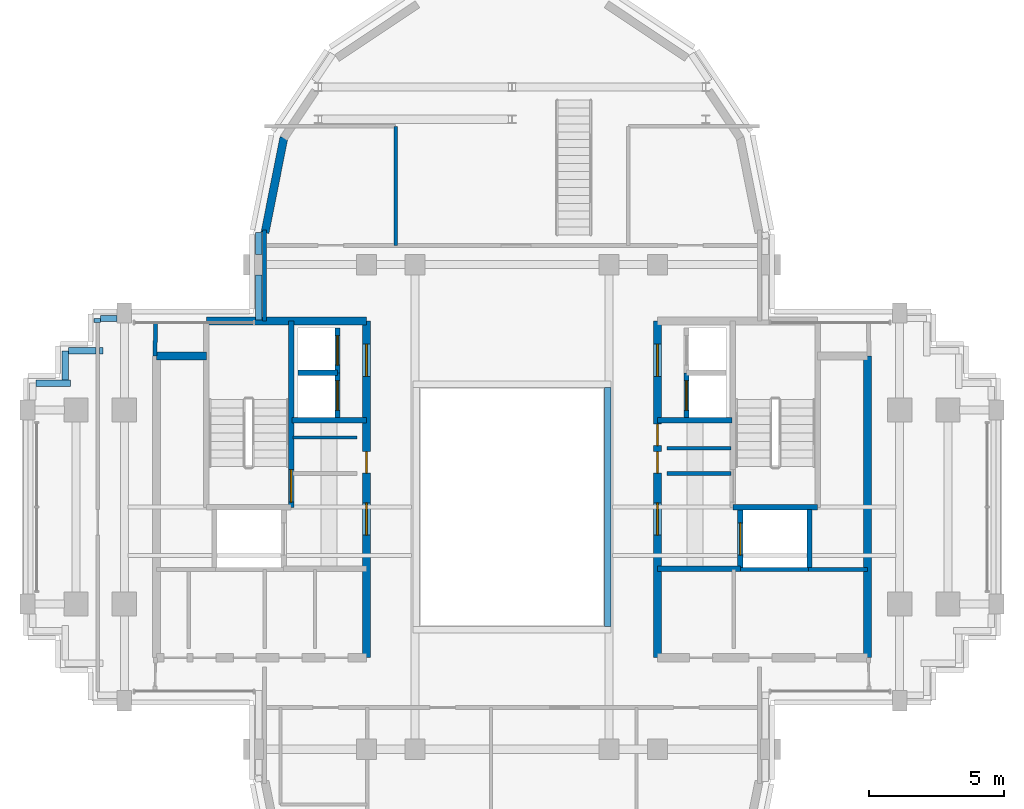
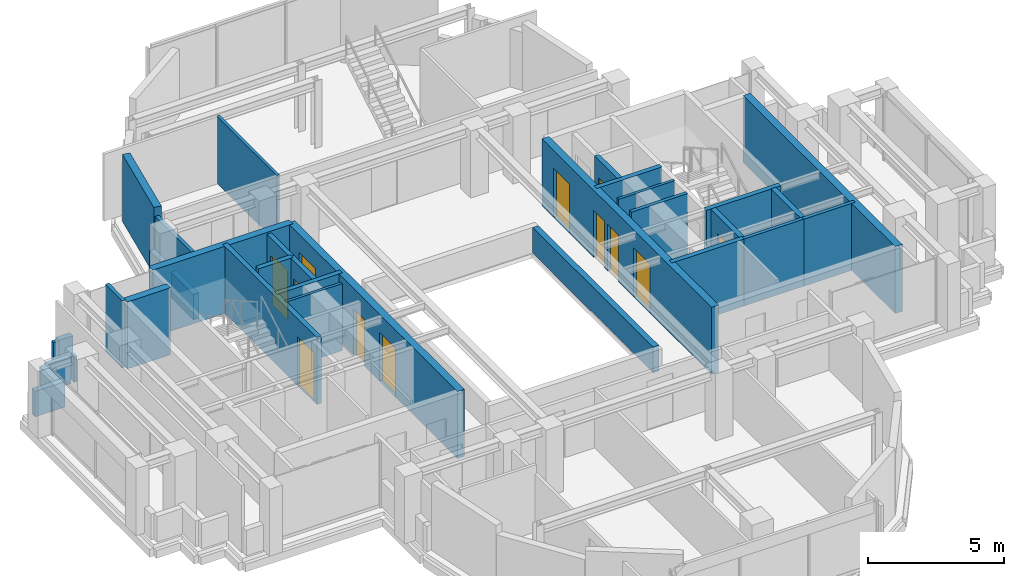
# One storey, part 9 of 13: 34 walls, 12 doors, 12 openings.
"""IFC4 building model written with IfcOpenShell, lengths in metres."""

import ifcopenshell
import ifcopenshell.guid

model = None  # the IFC model being written
_history = None  # IfcOwnerHistory: only IFC2X3 demands one
_inside = {}  # id of a spatial element -> (the spatial element, [elements in it])
_under = {}  # id of a project, library or spatial element -> (it, [spatial elements below it])
_declared = {}  # id of a project -> (the project, [libraries it declares])
_typed = {}  # id of a type object -> (the type object, [elements of that type])
_made_of = {}  # id of a material, layer set ... -> (it, [elements and type objects made of it])


def new_model(schema):
    """Start an empty IFC model of exactly this schema.

    Asked for "IFC4X3", IfcOpenShell would pick the latest addendum, in which some entities
    have other attributes; the version numbers below select the first issue.
    IFC2X3 requires an IfcOwnerHistory on every rooted entity: one is made here for all.
    """
    global model, _history
    if schema == "IFC4X3":
        model = ifcopenshell.file(schema_version=(4, 3, 0, 0))
    else:
        model = ifcopenshell.file(schema=schema)
    _inside.clear()
    _under.clear()
    _declared.clear()
    _typed.clear()
    _made_of.clear()
    _history = None
    if model.schema == "IFC2X3":
        org = make("IfcOrganization", Name="unknown")
        user = make(
            "IfcPersonAndOrganization",
            ThePerson=make("IfcPerson", FamilyName="unknown"),
            TheOrganization=org,
        )
        app = make(
            "IfcApplication",
            ApplicationDeveloper=org,
            Version="unknown",
            ApplicationFullName="unknown",
            ApplicationIdentifier="unknown",
        )
        _history = make(
            "IfcOwnerHistory",
            OwningUser=user,
            OwningApplication=app,
            ChangeAction="ADDED",
            CreationDate=0,
        )
    return model


def make(cls, **values):
    """One entity of the class cls with the attributes given. An attribute that is None is left unset."""
    return model.create_entity(
        cls, **{name: value for name, value in values.items() if value is not None}
    )


def rooted(cls, **values):
    """An entity with a GlobalId (a new one), such as an element, a storey or a relation."""
    return make(cls, GlobalId=ifcopenshell.guid.new(), OwnerHistory=_history, **values)


def si_unit(unit_type, name, prefix=None):
    """IfcSIUnit, for example si_unit("LENGTHUNIT", "METRE", prefix="MILLI")."""
    return make("IfcSIUnit", UnitType=unit_type, Prefix=prefix, Name=name)


def assignment(units):
    """IfcUnitAssignment: the units of a project."""
    return None if units is None else make("IfcUnitAssignment", Units=units)


def point(xyz):
    """IfcCartesianPoint."""
    return None if xyz is None else make("IfcCartesianPoint", Coordinates=xyz)


def direction(xyz):
    """IfcDirection."""
    return None if xyz is None else make("IfcDirection", DirectionRatios=xyz)


def frame(location, z_axis=None, x_axis=None):
    """IfcAxis2Placement3D, a coordinate frame: its origin and axes. An axis left out is left unset."""
    return make(
        "IfcAxis2Placement3D",
        Location=point(location),
        Axis=direction(z_axis),
        RefDirection=direction(x_axis),
    )


def frame_2d(location, x_axis=None):
    """IfcAxis2Placement2D, a coordinate frame in the plane: its origin and x axis."""
    return make(
        "IfcAxis2Placement2D", Location=point(location), RefDirection=direction(x_axis)
    )


def origin():
    """The frame at (0, 0, 0) with its axes left unset."""
    return frame((0.0, 0.0, 0.0))


def place(relative_to, where):
    """IfcLocalPlacement: puts the frame where relative to a parent placement (None: the world)."""
    return make(
        "IfcLocalPlacement", PlacementRelTo=relative_to, RelativePlacement=where
    )


def context(
    kind, dimensions, precision=None, world=None, true_north=None, identifier=None
):
    """IfcGeometricRepresentationContext, for example the 3D "Model" context."""
    return make(
        "IfcGeometricRepresentationContext",
        ContextIdentifier=identifier,
        ContextType=kind,
        CoordinateSpaceDimension=dimensions,
        Precision=precision,
        WorldCoordinateSystem=world,
        TrueNorth=true_north,
    )


def subcontext(parent, identifier, kind, view, scale=None):
    """IfcGeometricRepresentationSubContext, for example "Body" below "Model"."""
    return make(
        "IfcGeometricRepresentationSubContext",
        ContextIdentifier=identifier,
        ContextType=kind,
        ParentContext=parent,
        TargetScale=scale,
        TargetView=view,
    )


def project(units=None, contexts=None):
    """IfcProject with its units and contexts."""
    return rooted(
        "IfcProject",
        Name="project",
        RepresentationContexts=contexts,
        UnitsInContext=assignment(units),
    )


def spatial(cls, under=None, at=None, **own):
    """A site, building, storey or space (cls), placed at a placement, below another one or the project."""
    s = rooted(cls, ObjectPlacement=at, **own)
    if under is not None:
        _under.setdefault(under.id(), (under, []))[1].append(s)
    return s


def profile(cls, at=None, kind="AREA", **sizes):
    """A parametric profile (cls). Its sizes go by their IFC names, for example OverallWidth=200.0."""
    return make(cls, ProfileType=kind, Position=at, **sizes)


def rectangle(**sizes):
    """IfcRectangleProfileDef."""
    return profile("IfcRectangleProfileDef", **sizes)


def extrude(swept, where, along, depth):
    """IfcExtrudedAreaSolid: the profile swept, set in the frame where, extruded along a direction by depth."""
    return make(
        "IfcExtrudedAreaSolid",
        SweptArea=swept,
        Position=where,
        ExtrudedDirection=direction(along),
        Depth=depth,
    )


def shape(context_of_items, identifier, shape_type, items):
    """IfcShapeRepresentation: the items that make up one representation, for example the "Body"."""
    return make(
        "IfcShapeRepresentation",
        ContextOfItems=context_of_items,
        RepresentationIdentifier=identifier,
        RepresentationType=shape_type,
        Items=items,
    )


def source(mapping_origin, context_of_items, identifier, shape_type, items):
    """IfcRepresentationMap: a shape defined once, which mapped items show again and again."""
    return make(
        "IfcRepresentationMap",
        MappingOrigin=mapping_origin,
        MappedRepresentation=shape(context_of_items, identifier, shape_type, items),
    )


def transform(
    local_origin,
    x_axis=None,
    y_axis=None,
    z_axis=None,
    scale=None,
    scale2=None,
    scale3=None,
    uniform=True,
):
    """IfcCartesianTransformationOperator3D, or its non-uniform kind. x_axis, y_axis, z_axis: its Axis1, 2, 3."""
    if uniform:
        return make(
            "IfcCartesianTransformationOperator3D",
            Axis1=direction(x_axis),
            Axis2=direction(y_axis),
            LocalOrigin=point(local_origin),
            Scale=scale,
            Axis3=direction(z_axis),
        )
    return make(
        "IfcCartesianTransformationOperator3DnonUniform",
        Axis1=direction(x_axis),
        Axis2=direction(y_axis),
        LocalOrigin=point(local_origin),
        Scale=scale,
        Axis3=direction(z_axis),
        Scale2=scale2,
        Scale3=scale3,
    )


def mapped(mapping_source, mapping_target):
    """IfcMappedItem: shows the shape of a source again, moved by a transform."""
    return make(
        "IfcMappedItem", MappingSource=mapping_source, MappingTarget=mapping_target
    )


def material(Name=None, Category=None):
    """IfcMaterial."""
    return make("IfcMaterial", Name=Name, Category=Category)


def layer(
    of_material, thickness, ventilated=None, Name=None, Category=None, Priority=None
):
    """IfcMaterialLayer: one layer of a wall or slab, of a material (None: an air gap)."""
    return make(
        "IfcMaterialLayer",
        Material=of_material,
        LayerThickness=thickness,
        IsVentilated=ventilated,
        Name=Name,
        Category=Category,
        Priority=Priority,
    )


def layer_set(layers, Name=None):
    """IfcMaterialLayerSet."""
    return make("IfcMaterialLayerSet", MaterialLayers=layers, LayerSetName=Name)


def made_of(thing, what):
    """Note that an element or type object is made of a material, layer set ...; save() writes the relation."""
    if what is not None:
        _made_of.setdefault(what.id(), (what, []))[1].append(thing)
    return thing


def type_object(cls, material=None, **own):
    """A type object (cls), such as IfcWallType, which elements share."""
    return made_of(rooted(cls, **own), material)


def element(
    cls,
    number,
    at=None,
    inside=None,
    cuts=None,
    type_object=None,
    material=None,
    context=None,
    identifier="Body",
    shape_type=None,
    held_by="IfcProductDefinitionShape",
    body=None,
    shapes=None,
    **own,
):
    """One element of the class cls, such as IfcWall. Its Tag is "e" and its number.

    at: its placement. inside: the storey or other place that contains it. cuts: it is an
    opening in that element (IfcRelVoidsElement). A single representation is given by context,
    identifier, shape_type and body (its items); several are given by shapes. held_by: the class
    of the entity that holds the representations. save() writes the other relations.
    """
    e = rooted(cls, Tag="e%d" % number, ObjectPlacement=at, **own)
    if body is not None:
        shapes = [shape(context, identifier, shape_type, body)]
    if shapes is not None:
        e.Representation = make(held_by, Representations=shapes)
    if inside is not None:
        _inside.setdefault(inside.id(), (inside, []))[1].append(e)
    if cuts is not None:
        rooted(
            "IfcRelVoidsElement", RelatingBuildingElement=cuts, RelatedOpeningElement=e
        )
    if type_object is not None:
        _typed.setdefault(type_object.id(), (type_object, []))[1].append(e)
    return made_of(e, material)


def fill(opening, filler):
    """IfcRelFillsElement: the door or window that sits in an opening."""
    return rooted(
        "IfcRelFillsElement",
        RelatingOpeningElement=opening,
        RelatedBuildingElement=filler,
    )


def aggregate(whole, parts):
    """IfcRelAggregates: a whole, such as a stair, and the parts it consists of."""
    return rooted("IfcRelAggregates", RelatingObject=whole, RelatedObjects=parts)


def save(model, path):
    """Write the relations noted so far, then the file.

    IfcRelAggregates (storeys below a building ...), IfcRelContainedInSpatialStructure (elements
    in a storey), IfcRelDefinesByType, IfcRelAssociatesMaterial and IfcRelDeclares: one each for
    every whole, place, type object, material and project.
    """
    for whole, parts in _under.values():
        aggregate(whole, parts)
    for where, things in _inside.values():
        rooted(
            "IfcRelContainedInSpatialStructure",
            RelatedElements=things,
            RelatingStructure=where,
        )
    for kind, things in _typed.values():
        rooted("IfcRelDefinesByType", RelatedObjects=things, RelatingType=kind)
    for what, things in _made_of.values():
        rooted("IfcRelAssociatesMaterial", RelatedObjects=things, RelatingMaterial=what)
    for by, libraries in _declared.values():
        rooted("IfcRelDeclares", RelatingContext=by, RelatedDefinitions=libraries)
    model.write(path)


model = new_model("IFC4")

# Units and contexts
model_context = context("Model", 3, precision=1e-05, world=origin(), true_north=direction((0.0, 1.0)))
body_context = subcontext(model_context, "Body", "Model", "MODEL_VIEW")
ifc_project = project(units=[si_unit("LENGTHUNIT", "METRE"), si_unit("AREAUNIT", "SQUARE_METRE"), si_unit("VOLUMEUNIT", "CUBIC_METRE"), si_unit("PLANEANGLEUNIT", "RADIAN"), si_unit("MASSUNIT", "GRAM", prefix="KILO")], contexts=[model_context])

# Site, building, storey
site_placement = place(None, origin())
site = spatial("IfcSite", under=ifc_project, at=site_placement, CompositionType="ELEMENT")
building_placement = place(site_placement, origin())
building = spatial("IfcBuilding", under=site, at=building_placement, Name="Keilestroom Media Tower", CompositionType="ELEMENT")
storey_placement = place(building_placement, frame((0.0, 0.0, 230.0)))
storey = spatial("IfcBuildingStorey", under=building, at=storey_placement, Name="L63", CompositionType="ELEMENT", Elevation=230.0)

# Walls
ifc_material_1 = material(Name="Precast concrete C40/50", Category="concrete")
ifc_layer_1 = layer(ifc_material_1, 0.300048828125)
ifc_layer_set_1 = layer_set([ifc_layer_1], Name="Precast concrete C40/50")
wall_type_1 = type_object("IfcWallType", Name="Exterior-Masonry-Spandrel-Wall-300", PredefinedType="SOLIDWALL", material=ifc_layer_set_1)
wall_1_placement = place(storey_placement, frame((-8.470703125, 13.724609375, 0.0), z_axis=(0.0, 0.0, 1.0), x_axis=(-0.195114232679, -0.980780523974, 0.0)))
element("IfcWall", 1, at=wall_1_placement, inside=storey, type_object=wall_type_1, Name="L63 Lobe Facet Precast Frame Wall 06", PredefinedType="SOLIDWALL", context=body_context, shape_type="SweptSolid", body=[
    extrude(rectangle(XDim=3.608642578125, YDim=0.300048828125, at=frame_2d((1.80419921875, 0.0))), origin(), (0.0, 0.0, 1.0), 3.010009765625),
])
ifc_material_2 = material(Name="Gypsum Plasterboard & Steel Stud", Category="steel")
ifc_layer_2 = layer(ifc_material_2, 0.1201171875)
ifc_layer_set_2 = layer_set([ifc_layer_2], Name="Gypsum Plasterboard & Steel Stud")
wall_type_2 = type_object("IfcWallType", Name="Interior-Partition-Wall-120", PredefinedType="PARTITIONING", material=ifc_layer_set_2)
for number, where, z_axis, x_axis, name in (
    (2, (-8.139892578125, 2.580078125, 0.0), (0.0, 0.0, 1.0), (1.0, 0.0, 0.0), "L63 Interior Wall WP-L63-CNW-N"),
    (3, (5.75, 2.179931640625, 0.0), (0.0, 0.0, 1.0), (1.0, 0.0, 0.0), "L63 Interior Wall WP-L63-CNE-N"),
):
    element("IfcWall", number, at=place(storey_placement, frame(where, z_axis=z_axis, x_axis=x_axis)), inside=storey, type_object=wall_type_2, Name=name, PredefinedType="PARTITIONING", context=body_context, shape_type="SweptSolid", body=[
        extrude(rectangle(XDim=2.389892578125, YDim=0.1201171875, at=frame_2d((1.19482421875, 0.0))), origin(), (0.0, 0.0, 1.0), 3.010009765625),
    ])
wall_2_placement = place(storey_placement, frame((-4.320068359375, 9.719970703125, 0.0), z_axis=(0.0, 0.0, 1.0), x_axis=(0.0, 1.0, 0.0)))
element("IfcWall", 4, at=wall_2_placement, inside=storey, type_object=wall_type_2, Name="L63 Interior Wall WP-L63-NL-VW2", PredefinedType="PARTITIONING", context=body_context, shape_type="SweptSolid", body=[
    extrude(rectangle(XDim=4.419921875, YDim=0.1201171875, at=frame_2d((2.2099609375, 0.0))), origin(), (0.0, 0.0, 1.0), 3.010009765625),
])
ifc_layer_3 = layer(ifc_material_2, 0.14990234375)
ifc_layer_set_3 = layer_set([ifc_layer_3], Name="Gypsum Plasterboard & Steel Stud")
wall_type_3 = type_object("IfcWallType", Name="Interior-Partition-Wall-150", PredefinedType="PARTITIONING", material=ifc_layer_set_3)
wall_3_placement = place(storey_placement, frame((5.75, 1.239990234375, 0.0), z_axis=(0.0, 0.0, 1.0), x_axis=(1.0, 0.0, 0.0)))
element("IfcWall", 5, at=wall_3_placement, inside=storey, type_object=wall_type_3, Name="L63 Interior Wall WP-L63-FFE-TOP", PredefinedType="PARTITIONING", context=body_context, shape_type="SweptSolid", body=[
    extrude(rectangle(XDim=2.389892578125, YDim=0.14990234375, at=frame_2d((1.19482421875, 0.0))), origin(), (0.0, 0.0, 1.0), 3.010009765625),
])
wall_4_placement = place(storey_placement, frame((11.02001953125, -2.320068359375, 0.0), z_axis=(0.0, 0.0, 1.0), x_axis=(1.0, 0.0, 0.0)))
element("IfcWall", 6, at=wall_4_placement, inside=storey, type_object=wall_type_3, Name="L63 Interior Wall WP-L63-RECLE-N", PredefinedType="PARTITIONING", context=body_context, shape_type="SweptSolid", body=[
    extrude(rectangle(XDim=2.179931640625, YDim=0.14990234375, at=frame_2d((1.08984375, 0.0))), origin(), (0.0, 0.0, 1.0), 3.010009765625),
])
wall_5_placement = place(storey_placement, frame((8.47998046875, -2.320068359375, 0.0), z_axis=(0.0, 0.0, 1.0), x_axis=(1.0, 0.0, 0.0)))
element("IfcWall", 7, at=wall_5_placement, inside=storey, type_object=wall_type_3, Name="L63 Interior Wall WP-L63-RECME-N", PredefinedType="PARTITIONING", context=body_context, shape_type="SweptSolid", body=[
    extrude(rectangle(XDim=2.56005859375, YDim=0.14990234375, at=frame_2d((1.280029296875, 0.0))), origin(), (0.0, 0.0, 1.0), 3.010009765625),
])
wall_6_placement = place(storey_placement, frame((-9.199951171875, 6.89990234375, 0.0), z_axis=(0.0, 0.0, 1.0), x_axis=(0.0, 1.0, 0.0)))
element("IfcWall", 8, at=wall_6_placement, inside=storey, type_object=wall_type_3, Name="L63 Interior Wall WP-L63-NL-CHKW", PredefinedType="PARTITIONING", context=body_context, shape_type="SweptSolid", body=[
    extrude(rectangle(XDim=3.380126953125, YDim=0.14990234375, at=frame_2d((1.68994140625, 0.0))), origin(), (0.0, 0.0, 1.0), 2.610107421875),
])
wall_7_placement = place(storey_placement, frame((-13.260009765625, 5.60009765625, 0.0), z_axis=(0.0, 0.0, 1.0), x_axis=(0.016013571389, 0.999871774545, 0.0)))
element("IfcWall", 9, at=wall_7_placement, inside=storey, type_object=wall_type_3, Name="L63 Interior Wall WP-L63-WA-ENTN", PredefinedType="PARTITIONING", context=body_context, shape_type="SweptSolid", body=[
    extrude(rectangle(XDim=1.250244140625, YDim=0.14990234375, at=frame_2d((0.625, 0.0))), origin(), (0.0, 0.0, 1.0), 3.010009765625),
])

# Wall, openings, doors
ifc_material_3 = material(Name="Concrete C50/60", Category="concrete")
ifc_layer_4 = layer(ifc_material_3, 0.300048828125)
ifc_layer_set_4 = layer_set([ifc_layer_4], Name="Concrete C50/60")
wall_type_4 = type_object("IfcWallType", Name="Reinforced-Concrete-Core-Shear-Wall-300", PredefinedType="SHEAR", material=ifc_layer_set_4)
wall_8_placement = place(storey_placement, frame((-5.39990234375, -5.60009765625, 0.0), z_axis=(0.0, 0.0, 1.0), x_axis=(0.0, 1.0, 0.0)))
wall_8 = element("IfcWall", 10, at=wall_8_placement, inside=storey, type_object=wall_type_4, Name="L63 Core Shear Wall WL-L63-CORE-W-IN", PredefinedType="SHEAR", context=body_context, shape_type="SweptSolid", body=[
    extrude(rectangle(XDim=12.5, YDim=0.300048828125, at=frame_2d((6.25, 0.0))), origin(), (0.0, 0.0, 1.0), 3.010009765625),
])
opening_1_placement = place(wall_8_placement, frame((4.550048828125, 0.0, 0.0)))
opening_1 = element("IfcOpeningElement", 11, at=opening_1_placement, cuts=wall_8, Name="Opening DI-02", PredefinedType="OPENING", context=body_context, shape_type="SweptSolid", body=[
    extrude(rectangle(XDim=1.199951171875, YDim=2.199951171875, at=frame_2d((0.60009765625, 1.10009765625))), frame((0.0, 0.16015625, 0.0), z_axis=(0.0, -1.0, 0.0), x_axis=(1.0, 0.0, 0.0)), (0.0, 0.0, 1.0), 0.320068359375),
])
opening_2_placement = place(wall_8_placement, frame((10.449951171875, 0.0, 0.0)))
opening_2 = element("IfcOpeningElement", 12, at=opening_2_placement, cuts=wall_8, Name="Opening DI-02", PredefinedType="OPENING", context=body_context, shape_type="SweptSolid", body=[
    extrude(rectangle(XDim=1.199951171875, YDim=2.199951171875, at=frame_2d((0.60009765625, 1.10009765625))), frame((0.0, 0.16015625, 0.0), z_axis=(0.0, -1.0, 0.0), x_axis=(1.0, 0.0, 0.0)), (0.0, 0.0, 1.0), 0.320068359375),
])
opening_3_placement = place(wall_8_placement, frame((6.860107421875, 0.0, 0.0)))
opening_3 = element("IfcOpeningElement", 13, at=opening_3_placement, cuts=wall_8, Name="Opening DI-06", PredefinedType="OPENING", context=body_context, shape_type="SweptSolid", body=[
    extrude(rectangle(XDim=0.800048828125, YDim=2.10009765625, at=frame_2d((0.39990234375, 1.050048828125))), frame((0.0, 0.16015625, 0.0), z_axis=(0.0, -1.0, 0.0), x_axis=(1.0, 0.0, 0.0)), (0.0, 0.0, 1.0), 0.320068359375),
])
ifc_material_4 = material(Name="Powder-Coated Steel Fire Leaf", Category="steel")
door_type_1 = type_object("IfcDoorType", Name="Interior-Compartment-Fire-Door-DI-02", OperationType="NOTDEFINED", PredefinedType="DOOR", material=ifc_material_4)
shared_shape_1 = source(origin(), body_context, "Body", "SweptSolid", [
    extrude(rectangle(XDim=1.199951171875, YDim=2.199951171875, at=frame_2d((0.60009765625, 1.10009765625))), frame((0.0, 0.02490234375, 0.0), z_axis=(0.0, -1.0, 0.0), x_axis=(1.0, 0.0, 0.0)), (0.0, 0.0, 1.0), 0.050048828125),
])
door_1_placement = place(opening_1_placement, origin())
door_1 = element("IfcDoor", 14, at=door_1_placement, inside=storey, type_object=door_type_1, Name="L63 W Firefighting Lobby Door", OperationType="SINGLE_SWING_RIGHT", OverallHeight=2.199951171875, OverallWidth=1.199951171875, PredefinedType="DOOR", context=body_context, shape_type="MappedRepresentation", body=[
    mapped(shared_shape_1, transform((0.0, 0.0, 0.0), x_axis=(1.0, 0.0, 0.0), y_axis=(0.0, 1.0, 0.0), z_axis=(0.0, 0.0, 1.0), scale=1.0)),
])
fill(opening_1, door_1)
door_2_placement = place(opening_2_placement, origin())
door_2 = element("IfcDoor", 15, at=door_2_placement, inside=storey, type_object=door_type_1, Name="L63 W High-Rise Lift Lobby Door", OperationType="SINGLE_SWING_LEFT", OverallHeight=2.199951171875, OverallWidth=1.199951171875, PredefinedType="DOOR", context=body_context, shape_type="MappedRepresentation", body=[
    mapped(shared_shape_1, transform((0.0, 0.0, 0.0), x_axis=(1.0, 0.0, 0.0), y_axis=(0.0, 1.0, 0.0), z_axis=(0.0, 0.0, 1.0), scale=1.0)),
])
fill(opening_2, door_2)
ifc_material_5 = material(Name="Powder-Coated Steel Service Leaf", Category="steel")
door_type_2 = type_object("IfcDoorType", Name="Interior-Riser-Access-Door-DI-06", OperationType="NOTDEFINED", PredefinedType="DOOR", material=ifc_material_5)
shared_shape_2 = source(origin(), body_context, "Body", "SweptSolid", [
    extrude(rectangle(XDim=0.800048828125, YDim=2.10009765625, at=frame_2d((0.39990234375, 1.050048828125))), frame((0.0, 0.02490234375, 0.0), z_axis=(0.0, -1.0, 0.0), x_axis=(1.0, 0.0, 0.0)), (0.0, 0.0, 1.0), 0.050048828125),
])
door_3_placement = place(opening_3_placement, origin())
door_3 = element("IfcDoor", 16, at=door_3_placement, inside=storey, type_object=door_type_2, Name="L63 West Core Switchroom Door", OperationType="SINGLE_SWING_LEFT", OverallHeight=2.10009765625, OverallWidth=0.800048828125, PredefinedType="DOOR", context=body_context, shape_type="MappedRepresentation", body=[
    mapped(shared_shape_2, transform((0.0, 0.0, 0.0), x_axis=(1.0, 0.0, 0.0), y_axis=(0.0, 1.0, 0.0), z_axis=(0.0, 0.0, 1.0), scale=1.0)),
])
fill(opening_3, door_3)

# Walls
wall_9_placement = place(storey_placement, frame((-11.35595703125, 6.89990234375, 0.0), z_axis=(0.0, 0.0, 1.0), x_axis=(1.0, 0.0, 0.0)))
element("IfcWall", 17, at=wall_9_placement, inside=storey, type_object=wall_type_4, Name="L63 Core Shear Wall WL-L63-CORE-W-N", PredefinedType="SHEAR", context=body_context, shape_type="SweptSolid", body=[
    extrude(rectangle(XDim=5.9560546875, YDim=0.300048828125, at=frame_2d((2.97802734375, 0.0))), origin(), (0.0, 0.0, 1.0), 3.010009765625),
])
wall_10_placement = place(storey_placement, frame((-13.199951171875, 5.60009765625, 0.0), z_axis=(0.0, 0.0, 1.0), x_axis=(1.0, 0.0, 0.0)))
element("IfcWall", 18, at=wall_10_placement, inside=storey, type_object=wall_type_4, Name="L63 Core Shear Wall WL-L63-CNW-N", PredefinedType="SHEAR", context=body_context, shape_type="SweptSolid", body=[
    extrude(rectangle(XDim=1.843994140625, YDim=0.300048828125, at=frame_2d((0.921875, 0.0))), origin(), (0.0, 0.0, 1.0), 3.010009765625),
])
wall_11_placement = place(storey_placement, frame((13.199951171875, -5.60009765625, 0.0), z_axis=(0.0, 0.0, 1.0), x_axis=(0.0, 1.0, 0.0)))
element("IfcWall", 19, at=wall_11_placement, inside=storey, type_object=wall_type_4, Name="L63 Core Shear Wall WL-L63-CORE-E-OUT", PredefinedType="SHEAR", context=body_context, shape_type="SweptSolid", body=[
    extrude(rectangle(XDim=11.2001953125, YDim=0.300048828125, at=frame_2d((5.60009765625, 0.0))), origin(), (0.0, 0.0, 1.0), 3.010009765625),
])

# Wall, openings, doors
wall_12_placement = place(storey_placement, frame((5.39990234375, -5.60009765625, 0.0), z_axis=(0.0, 0.0, 1.0), x_axis=(0.0, 1.0, 0.0)))
wall_12 = element("IfcWall", 20, at=wall_12_placement, inside=storey, type_object=wall_type_4, Name="L63 Core Shear Wall WL-L63-CORE-E-IN", PredefinedType="SHEAR", context=body_context, shape_type="SweptSolid", body=[
    extrude(rectangle(XDim=12.5, YDim=0.300048828125, at=frame_2d((6.25, 0.0))), origin(), (0.0, 0.0, 1.0), 3.010009765625),
])
opening_4_placement = place(wall_12_placement, frame((4.550048828125, 0.0, 0.0)))
opening_4 = element("IfcOpeningElement", 21, at=opening_4_placement, cuts=wall_12, Name="Opening DI-02", PredefinedType="OPENING", context=body_context, shape_type="SweptSolid", body=[
    extrude(rectangle(XDim=1.199951171875, YDim=2.199951171875, at=frame_2d((0.60009765625, 1.10009765625))), frame((0.0, 0.16015625, 0.0), z_axis=(0.0, -1.0, 0.0), x_axis=(1.0, 0.0, 0.0)), (0.0, 0.0, 1.0), 0.320068359375),
])
opening_5_placement = place(wall_12_placement, frame((10.449951171875, 0.0, 0.0)))
opening_5 = element("IfcOpeningElement", 22, at=opening_5_placement, cuts=wall_12, Name="Opening DI-02", PredefinedType="OPENING", context=body_context, shape_type="SweptSolid", body=[
    extrude(rectangle(XDim=1.199951171875, YDim=2.199951171875, at=frame_2d((0.60009765625, 1.10009765625))), frame((0.0, 0.16015625, 0.0), z_axis=(0.0, -1.0, 0.0), x_axis=(1.0, 0.0, 0.0)), (0.0, 0.0, 1.0), 0.320068359375),
])
opening_6_placement = place(wall_12_placement, frame((6.860107421875, 0.0, 0.0)))
opening_6 = element("IfcOpeningElement", 23, at=opening_6_placement, cuts=wall_12, Name="Opening DI-06", PredefinedType="OPENING", context=body_context, shape_type="SweptSolid", body=[
    extrude(rectangle(XDim=0.800048828125, YDim=2.10009765625, at=frame_2d((0.39990234375, 1.050048828125))), frame((0.0, 0.16015625, 0.0), z_axis=(0.0, -1.0, 0.0), x_axis=(1.0, 0.0, 0.0)), (0.0, 0.0, 1.0), 0.320068359375),
])
opening_7_placement = place(wall_12_placement, frame((7.8798828125, 0.0, 0.0)))
opening_7 = element("IfcOpeningElement", 24, at=opening_7_placement, cuts=wall_12, Name="Opening DI-06", PredefinedType="OPENING", context=body_context, shape_type="SweptSolid", body=[
    extrude(rectangle(XDim=0.800048828125, YDim=2.10009765625, at=frame_2d((0.39990234375, 1.050048828125))), frame((0.0, 0.16015625, 0.0), z_axis=(0.0, -1.0, 0.0), x_axis=(1.0, 0.0, 0.0)), (0.0, 0.0, 1.0), 0.320068359375),
])
door_4_placement = place(opening_4_placement, origin())
door_4 = element("IfcDoor", 25, at=door_4_placement, inside=storey, type_object=door_type_1, Name="L63 E Firefighting Lobby Door", OperationType="SINGLE_SWING_LEFT", OverallHeight=2.199951171875, OverallWidth=1.199951171875, PredefinedType="DOOR", context=body_context, shape_type="MappedRepresentation", body=[
    mapped(shared_shape_1, transform((0.0, 0.0, 0.0), x_axis=(1.0, 0.0, 0.0), y_axis=(0.0, 1.0, 0.0), z_axis=(0.0, 0.0, 1.0), scale=1.0)),
])
fill(opening_4, door_4)
door_5_placement = place(opening_5_placement, origin())
door_5 = element("IfcDoor", 26, at=door_5_placement, inside=storey, type_object=door_type_1, Name="L63 E High-Rise Lift Lobby Door", OperationType="SINGLE_SWING_RIGHT", OverallHeight=2.199951171875, OverallWidth=1.199951171875, PredefinedType="DOOR", context=body_context, shape_type="MappedRepresentation", body=[
    mapped(shared_shape_1, transform((0.0, 0.0, 0.0), x_axis=(1.0, 0.0, 0.0), y_axis=(0.0, 1.0, 0.0), z_axis=(0.0, 0.0, 1.0), scale=1.0)),
])
fill(opening_5, door_5)
door_6_placement = place(opening_6_placement, origin())
door_6 = element("IfcDoor", 27, at=door_6_placement, inside=storey, type_object=door_type_2, Name="L63 East Core Telecom Door", OperationType="SINGLE_SWING_RIGHT", OverallHeight=2.10009765625, OverallWidth=0.800048828125, PredefinedType="DOOR", context=body_context, shape_type="MappedRepresentation", body=[
    mapped(shared_shape_2, transform((0.0, 0.0, 0.0), x_axis=(1.0, 0.0, 0.0), y_axis=(0.0, 1.0, 0.0), z_axis=(0.0, 0.0, 1.0), scale=1.0)),
])
fill(opening_6, door_6)
door_7_placement = place(opening_7_placement, origin())
door_7 = element("IfcDoor", 28, at=door_7_placement, inside=storey, type_object=door_type_2, Name="L63 East Core Closet Door", OperationType="SINGLE_SWING_RIGHT", OverallHeight=2.10009765625, OverallWidth=0.800048828125, PredefinedType="DOOR", context=body_context, shape_type="MappedRepresentation", body=[
    mapped(shared_shape_2, transform((0.0, 0.0, 0.0), x_axis=(1.0, 0.0, 0.0), y_axis=(0.0, 1.0, 0.0), z_axis=(0.0, 0.0, 1.0), scale=1.0)),
])
fill(opening_7, door_7)

# Wall
ifc_layer_5 = layer(ifc_material_3, 0.199951171875)
ifc_layer_set_5 = layer_set([ifc_layer_5], Name="Concrete C50/60")
wall_type_5 = type_object("IfcWallType", Name="Reinforced-Concrete-Shaft-Wall-200", PredefinedType="SOLIDWALL", material=ifc_layer_set_5)
wall_13_placement = place(storey_placement, frame((-8.179931640625, 3.219970703125, 0.0), z_axis=(0.0, 0.0, 1.0), x_axis=(1.0, 0.0, 0.0)))
element("IfcWall", 29, at=wall_13_placement, inside=storey, type_object=wall_type_5, Name="L63 Core Shear Wall WL-L63-CORE-W-FFN", PredefinedType="SOLIDWALL", context=body_context, shape_type="SweptSolid", body=[
    extrude(rectangle(XDim=2.780029296875, YDim=0.199951171875, at=frame_2d((1.39013671875, 0.0))), origin(), (0.0, 0.0, 1.0), 3.010009765625),
])

# Wall, opening, door
wall_14_placement = place(storey_placement, frame((-8.2041015625, -0.01611328125, 0.0), z_axis=(0.0, 0.0, 1.0), x_axis=(0.0, 1.0, 0.0)))
wall_14 = element("IfcWall", 30, at=wall_14_placement, inside=storey, type_object=wall_type_5, Name="L63 Core Shear Wall WL-L63-STW-W-NEAR", PredefinedType="SOLIDWALL", context=body_context, shape_type="SweptSolid", body=[
    extrude(rectangle(XDim=6.916015625, YDim=0.199951171875, at=frame_2d((3.4580078125, 0.0))), origin(), (0.0, 0.0, 1.0), 3.010009765625),
])
opening_8_placement = place(wall_14_placement, frame((0.199951171875, 0.0, 0.0)))
opening_8 = element("IfcOpeningElement", 31, at=opening_8_placement, cuts=wall_14, Name="Opening DI-01S", PredefinedType="OPENING", context=body_context, shape_type="SweptSolid", body=[
    extrude(rectangle(XDim=1.199951171875, YDim=2.199951171875, at=frame_2d((0.60009765625, 1.10009765625))), frame((0.0, 0.10986328125, 0.0), z_axis=(0.0, -1.0, 0.0), x_axis=(1.0, 0.0, 0.0)), (0.0, 0.0, 1.0), 0.219970703125),
])
door_type_3 = type_object("IfcDoorType", Name="Interior-Stair-And-Core-Fire-Door-DI-01", OperationType="NOTDEFINED", PredefinedType="DOOR", material=ifc_material_4)
door_8_placement = place(opening_8_placement, origin())
door_8 = element("IfcDoor", 32, at=door_8_placement, inside=storey, type_object=door_type_3, Name="L63 Escape Stair ST-1 Fire Door", OperationType="SINGLE_SWING_LEFT", OverallHeight=2.199951171875, OverallWidth=1.199951171875, PredefinedType="DOOR", context=body_context, shape_type="MappedRepresentation", body=[
    mapped(shared_shape_1, transform((0.0, 0.0, 0.0), x_axis=(1.0, 0.0, 0.0), y_axis=(0.0, 1.0, 0.0), z_axis=(0.0, 0.0, 1.0), scale=1.0)),
])
fill(opening_8, door_8)

# Walls
wall_15_placement = place(storey_placement, frame((5.39990234375, 3.219970703125, 0.0), z_axis=(0.0, 0.0, 1.0), x_axis=(1.0, 0.0, 0.0)))
element("IfcWall", 33, at=wall_15_placement, inside=storey, type_object=wall_type_5, Name="L63 Core Shear Wall WL-L63-CORE-E-FFN", PredefinedType="SOLIDWALL", context=body_context, shape_type="SweptSolid", body=[
    extrude(rectangle(XDim=2.780029296875, YDim=0.199951171875, at=frame_2d((1.39013671875, 0.0))), origin(), (0.0, 0.0, 1.0), 3.010009765625),
])
wall_16_placement = place(storey_placement, frame((5.39990234375, -2.300048828125, 0.0), z_axis=(0.0, 0.0, 1.0), x_axis=(1.0, 0.0, 0.0)))
element("IfcWall", 34, at=wall_16_placement, inside=storey, type_object=wall_type_5, Name="L63 Core Shear Wall WL-L63-CORE-E-FFS", PredefinedType="SOLIDWALL", context=body_context, shape_type="SweptSolid", body=[
    extrude(rectangle(XDim=3.080078125, YDim=0.199951171875, at=frame_2d((1.5400390625, 0.0))), origin(), (0.0, 0.0, 1.0), 3.010009765625),
])
wall_17_placement = place(storey_placement, frame((8.2041015625, -0.01611328125, 0.0), z_axis=(0.0, 0.0, 1.0), x_axis=(1.0, 0.0, 0.0)))
element("IfcWall", 35, at=wall_17_placement, inside=storey, type_object=wall_type_5, Name="L63 Core Shear Wall WL-L63-STW-E-S", PredefinedType="SOLIDWALL", context=body_context, shape_type="SweptSolid", body=[
    extrude(rectangle(XDim=3.15185546875, YDim=0.199951171875, at=frame_2d((1.575927734375, 0.0))), origin(), (0.0, 0.0, 1.0), 3.010009765625),
])

# Wall, opening, door
wall_18_placement = place(storey_placement, frame((8.47998046875, -2.280029296875, 0.0), z_axis=(0.0, 0.0, 1.0), x_axis=(0.0, 1.0, 0.0)))
wall_18 = element("IfcWall", 36, at=wall_18_placement, inside=storey, type_object=wall_type_5, Name="L63 Core Shear Wall WL-L63-LSH-FFL-2-W", PredefinedType="SOLIDWALL", context=body_context, shape_type="SweptSolid", body=[
    extrude(rectangle(XDim=2.179931640625, YDim=0.199951171875, at=frame_2d((1.08984375, 0.0))), origin(), (0.0, 0.0, 1.0), 3.010009765625),
])
opening_9_placement = place(wall_18_placement, frame((0.489990234375, 0.0, 0.0)))
opening_9 = element("IfcOpeningElement", 37, at=opening_9_placement, cuts=wall_18, Name="Opening LD-02", PredefinedType="OPENING", context=body_context, shape_type="SweptSolid", body=[
    extrude(rectangle(XDim=1.199951171875, YDim=2.199951171875, at=frame_2d((0.60009765625, 1.10009765625))), frame((0.0, 0.10986328125, 0.0), z_axis=(0.0, -1.0, 0.0), x_axis=(1.0, 0.0, 0.0)), (0.0, 0.0, 1.0), 0.219970703125),
])
ifc_material_6 = material(Name="Brushed Stainless Steel Sliding Leaf", Category="steel")
door_type_4 = type_object("IfcDoorType", Name="Lift-Landing-Sliding-Door-LD-02", OperationType="SLIDING_TO_RIGHT", PredefinedType="DOOR", material=ifc_material_6)
door_9_placement = place(opening_9_placement, origin())
door_9 = element("IfcDoor", 38, at=door_9_placement, inside=storey, type_object=door_type_4, Name="L63 Lift FFL-2 Landing Sliding Door", OperationType="SLIDING_TO_RIGHT", OverallHeight=2.199951171875, OverallWidth=1.199951171875, PredefinedType="DOOR", context=body_context, shape_type="MappedRepresentation", body=[
    mapped(shared_shape_1, transform((0.0, 0.0, 0.0), x_axis=(1.0, 0.0, 0.0), y_axis=(0.0, 1.0, 0.0), z_axis=(0.0, 0.0, 1.0), scale=1.0)),
])
fill(opening_9, door_9)

# Wall
wall_19_placement = place(storey_placement, frame((11.050048828125, -2.280029296875, 0.0), z_axis=(0.0, 0.0, 1.0), x_axis=(0.0, 1.0, 0.0)))
element("IfcWall", 39, at=wall_19_placement, inside=storey, type_object=wall_type_5, Name="L63 Core Shear Wall WL-L63-LSH-FFL-2-E", PredefinedType="SOLIDWALL", context=body_context, shape_type="SweptSolid", body=[
    extrude(rectangle(XDim=2.179931640625, YDim=0.199951171875, at=frame_2d((1.08984375, 0.0))), origin(), (0.0, 0.0, 1.0), 3.010009765625),
])

# Wall, opening, door
wall_20_placement = place(storey_placement, frame((-6.47998046875, 3.300048828125, 0.0), z_axis=(0.0, 0.0, 1.0), x_axis=(0.0, 1.0, 0.0)))
wall_20 = element("IfcWall", 40, at=wall_20_placement, inside=storey, type_object=wall_type_5, Name="L63 Core Shear Wall WL-L63-LSH-PL-H1-E", PredefinedType="SOLIDWALL", context=body_context, shape_type="SweptSolid", body=[
    extrude(rectangle(XDim=1.679931640625, YDim=0.199951171875, at=frame_2d((0.83984375, 0.0))), origin(), (0.0, 0.0, 1.0), 3.010009765625),
])
opening_10_placement = place(wall_20_placement, frame((0.2900390625, 0.0, 0.0)))
opening_10 = element("IfcOpeningElement", 41, at=opening_10_placement, cuts=wall_20, Name="Opening LD-01", PredefinedType="OPENING", context=body_context, shape_type="SweptSolid", body=[
    extrude(rectangle(XDim=1.10009765625, YDim=2.199951171875, at=frame_2d((0.550048828125, 1.10009765625))), frame((0.0, 0.10986328125, 0.0), z_axis=(0.0, -1.0, 0.0), x_axis=(1.0, 0.0, 0.0)), (0.0, 0.0, 1.0), 0.219970703125),
])
door_type_5 = type_object("IfcDoorType", Name="Lift-Landing-Sliding-Door-LD-01", OperationType="SLIDING_TO_LEFT", PredefinedType="DOOR", material=ifc_material_6)
shared_shape_3 = source(origin(), body_context, "Body", "SweptSolid", [
    extrude(rectangle(XDim=1.10009765625, YDim=2.199951171875, at=frame_2d((0.550048828125, 1.10009765625))), frame((0.0, 0.02490234375, 0.0), z_axis=(0.0, -1.0, 0.0), x_axis=(1.0, 0.0, 0.0)), (0.0, 0.0, 1.0), 0.050048828125),
])
door_10_placement = place(opening_10_placement, origin())
door_10 = element("IfcDoor", 42, at=door_10_placement, inside=storey, type_object=door_type_5, Name="L63 Lift PL-H1 Landing Sliding Door", OperationType="SLIDING_TO_LEFT", OverallHeight=2.199951171875, OverallWidth=1.10009765625, PredefinedType="DOOR", context=body_context, shape_type="MappedRepresentation", body=[
    mapped(shared_shape_3, transform((0.0, 0.0, 0.0), x_axis=(1.0, 0.0, 0.0), y_axis=(0.0, 1.0, 0.0), z_axis=(0.0, 0.0, 1.0), scale=1.0)),
])
fill(opening_10, door_10)

# Wall
wall_21_placement = place(storey_placement, frame((-7.949951171875, 4.97998046875, 0.0), z_axis=(0.0, 0.0, 1.0), x_axis=(1.0, 0.0, 0.0)))
element("IfcWall", 43, at=wall_21_placement, inside=storey, type_object=wall_type_5, Name="L63 Core Shear Wall WL-L63-LSH-PL-H1-N", PredefinedType="SOLIDWALL", context=body_context, shape_type="SweptSolid", body=[
    extrude(rectangle(XDim=1.469970703125, YDim=0.199951171875, at=frame_2d((0.73486328125, 0.0))), origin(), (0.0, 0.0, 1.0), 3.010009765625),
])

# Wall, opening, door
wall_22_placement = place(storey_placement, frame((-6.47998046875, 4.97998046875, 0.0), z_axis=(0.0, 0.0, 1.0), x_axis=(0.0, 1.0, 0.0)))
wall_22 = element("IfcWall", 44, at=wall_22_placement, inside=storey, type_object=wall_type_5, Name="L63 Core Shear Wall WL-L63-LSH-PL-H2-E", PredefinedType="SOLIDWALL", context=body_context, shape_type="SweptSolid", body=[
    extrude(rectangle(XDim=1.669921875, YDim=0.199951171875, at=frame_2d((0.8349609375, 0.0))), origin(), (0.0, 0.0, 1.0), 3.010009765625),
])
opening_11_placement = place(wall_22_placement, frame((0.284912109375, 0.0, 0.0)))
opening_11 = element("IfcOpeningElement", 45, at=opening_11_placement, cuts=wall_22, Name="Opening LD-01", PredefinedType="OPENING", context=body_context, shape_type="SweptSolid", body=[
    extrude(rectangle(XDim=1.10009765625, YDim=2.199951171875, at=frame_2d((0.550048828125, 1.10009765625))), frame((0.0, 0.10986328125, 0.0), z_axis=(0.0, -1.0, 0.0), x_axis=(1.0, 0.0, 0.0)), (0.0, 0.0, 1.0), 0.219970703125),
])
door_11_placement = place(opening_11_placement, origin())
door_11 = element("IfcDoor", 46, at=door_11_placement, inside=storey, type_object=door_type_5, Name="L63 Lift PL-H2 Landing Sliding Door", OperationType="SLIDING_TO_LEFT", OverallHeight=2.199951171875, OverallWidth=1.10009765625, PredefinedType="DOOR", context=body_context, shape_type="MappedRepresentation", body=[
    mapped(shared_shape_3, transform((0.0, 0.0, 0.0), x_axis=(1.0, 0.0, 0.0), y_axis=(0.0, 1.0, 0.0), z_axis=(0.0, 0.0, 1.0), scale=1.0)),
])
fill(opening_11, door_11)

wall_23_placement = place(storey_placement, frame((6.47998046875, 3.300048828125, 0.0), z_axis=(0.0, 0.0, 1.0), x_axis=(0.0, 1.0, 0.0)))
wall_23 = element("IfcWall", 47, at=wall_23_placement, inside=storey, type_object=wall_type_5, Name="L63 Core Shear Wall WL-L63-LSH-PL-H3-W", PredefinedType="SOLIDWALL", context=body_context, shape_type="SweptSolid", body=[
    extrude(rectangle(XDim=1.679931640625, YDim=0.199951171875, at=frame_2d((0.83984375, 0.0))), origin(), (0.0, 0.0, 1.0), 3.010009765625),
])
opening_12_placement = place(wall_23_placement, frame((0.2900390625, 0.0, 0.0)))
opening_12 = element("IfcOpeningElement", 48, at=opening_12_placement, cuts=wall_23, Name="Opening LD-01", PredefinedType="OPENING", context=body_context, shape_type="SweptSolid", body=[
    extrude(rectangle(XDim=1.10009765625, YDim=2.199951171875, at=frame_2d((0.550048828125, 1.10009765625))), frame((0.0, 0.10986328125, 0.0), z_axis=(0.0, -1.0, 0.0), x_axis=(1.0, 0.0, 0.0)), (0.0, 0.0, 1.0), 0.219970703125),
])
door_12_placement = place(opening_12_placement, origin())
door_12 = element("IfcDoor", 49, at=door_12_placement, inside=storey, type_object=door_type_5, Name="L63 Lift PL-H3 Landing Sliding Door", OperationType="SLIDING_TO_LEFT", OverallHeight=2.199951171875, OverallWidth=1.10009765625, PredefinedType="DOOR", context=body_context, shape_type="MappedRepresentation", body=[
    mapped(shared_shape_3, transform((0.0, 0.0, 0.0), x_axis=(1.0, 0.0, 0.0), y_axis=(0.0, 1.0, 0.0), z_axis=(0.0, 0.0, 1.0), scale=1.0)),
])
fill(opening_12, door_12)

# Walls
ifc_layer_6 = layer(ifc_material_1, 0.239990234375)
ifc_layer_set_6 = layer_set([ifc_layer_6], Name="Precast concrete C40/50")
wall_type_6 = type_object("IfcWallType", Name="Roof-And-Terrace-Parapet-Wall-240", PredefinedType="PARAPET", material=ifc_layer_set_6)
wall_24_placement = place(storey_placement, frame((-17.677001953125, 4.60009765625, 0.0), z_axis=(0.0, 0.0, 1.0), x_axis=(1.0, 0.0, 0.0)))
element("IfcWall", 50, at=wall_24_placement, inside=storey, type_object=wall_type_6, Name="L63 Perimeter Edge Parapet Wall 19", PredefinedType="PARAPET", context=body_context, shape_type="SweptSolid", body=[
    extrude(rectangle(XDim=1.277099609375, YDim=0.239990234375, at=frame_2d((0.638671875, 0.0))), origin(), (0.0, 0.0, 1.0), 1.14990234375),
])
wall_25_placement = place(storey_placement, frame((-16.60009765625, 4.722900390625, 0.0), z_axis=(0.0, 0.0, 1.0), x_axis=(0.0, 1.0, 0.0)))
element("IfcWall", 51, at=wall_25_placement, inside=storey, type_object=wall_type_6, Name="L63 Perimeter Edge Parapet Wall 20", PredefinedType="PARAPET", context=body_context, shape_type="SweptSolid", body=[
    extrude(rectangle(XDim=1.0771484375, YDim=0.239990234375, at=frame_2d((0.53857421875, 0.0))), origin(), (0.0, 0.0, 1.0), 1.14990234375),
])
wall_26_placement = place(storey_placement, frame((-16.47705078125, 5.800048828125, 0.0), z_axis=(0.0, 0.0, 1.0), x_axis=(1.0, 0.0, 0.0)))
element("IfcWall", 52, at=wall_26_placement, inside=storey, type_object=wall_type_6, Name="L63 Perimeter Edge Parapet Wall 21", PredefinedType="PARAPET", context=body_context, shape_type="SweptSolid", body=[
    extrude(rectangle(XDim=1.024169921875, YDim=0.239990234375, at=frame_2d((0.51220703125, 0.0))), origin(), (0.0, 0.0, 1.0), 1.14990234375),
])
wall_27_placement = place(storey_placement, frame((-15.326904296875, 5.800048828125, 0.0), z_axis=(0.0, 0.0, 1.0), x_axis=(1.0, 0.0, 0.0)))
element("IfcWall", 53, at=wall_27_placement, inside=storey, type_object=wall_type_6, Name="L63 Perimeter Edge Parapet Wall 22", PredefinedType="PARAPET", context=body_context, shape_type="SweptSolid", body=[
    extrude(rectangle(XDim=0.126953125, YDim=0.239990234375, at=frame_2d((0.0634765625, 0.0))), origin(), (0.0, 0.0, 1.0), 1.14990234375),
])
wall_28_placement = place(storey_placement, frame((-15.39990234375, 6.85302734375, 0.0), z_axis=(0.0, 0.0, 1.0), x_axis=(0.0, 1.0, 0.0)))
element("IfcWall", 54, at=wall_28_placement, inside=storey, type_object=wall_type_6, Name="L63 Perimeter Edge Parapet Wall 23", PredefinedType="PARAPET", context=body_context, shape_type="SweptSolid", body=[
    extrude(rectangle(XDim=0.14697265625, YDim=0.239990234375, at=frame_2d((0.073486328125, 0.0))), origin(), (0.0, 0.0, 1.0), 1.14990234375),
])
wall_29_placement = place(storey_placement, frame((-15.277099609375, 7.0, 0.0), z_axis=(0.0, 0.0, 1.0), x_axis=(1.0, 0.0, 0.0)))
element("IfcWall", 55, at=wall_29_placement, inside=storey, type_object=wall_type_6, Name="L63 Perimeter Edge Parapet Wall 24", PredefinedType="PARAPET", context=body_context, shape_type="SweptSolid", body=[
    extrude(rectangle(XDim=0.59912109375, YDim=0.239990234375, at=frame_2d((0.299560546875, 0.0))), origin(), (0.0, 0.0, 1.0), 1.14990234375),
])
wall_30_placement = place(storey_placement, frame((-9.39990234375, 6.952880859375, 0.0), z_axis=(0.0, 0.0, 1.0), x_axis=(0.0, 1.0, 0.0)))
element("IfcWall", 56, at=wall_30_placement, inside=storey, type_object=wall_type_6, Name="L63 Perimeter Edge Parapet Wall 25", PredefinedType="PARAPET", context=body_context, shape_type="SweptSolid", body=[
    extrude(rectangle(XDim=1.669189453125, YDim=0.239990234375, at=frame_2d((0.83447265625, 0.0))), origin(), (0.0, 0.0, 1.0), 1.14990234375),
])
wall_31_placement = place(storey_placement, frame((-9.39990234375, 9.3779296875, 0.0), z_axis=(0.0, 0.0, 1.0), x_axis=(0.0, 1.0, 0.0)))
element("IfcWall", 57, at=wall_31_placement, inside=storey, type_object=wall_type_6, Name="L63 Perimeter Edge Parapet Wall 26", PredefinedType="PARAPET", context=body_context, shape_type="SweptSolid", body=[
    extrude(rectangle(XDim=0.824951171875, YDim=0.239990234375, at=frame_2d((0.41259765625, 0.0))), origin(), (0.0, 0.0, 1.0), 1.14990234375),
])
wall_32_placement = place(storey_placement, frame((3.56005859375, -4.43505859375, 0.0), z_axis=(0.0, 0.0, 1.0), x_axis=(0.0, 1.0, 0.0)))
element("IfcWall", 58, at=wall_32_placement, inside=storey, type_object=wall_type_6, Name="L63 Central Atrium Guard Parapet E", PredefinedType="PARAPET", context=body_context, shape_type="SweptSolid", body=[
    extrude(rectangle(XDim=8.8701171875, YDim=0.239990234375, at=frame_2d((4.43505859375, 0.0))), origin(), (0.0, 0.0, 1.0), 1.14990234375),
])

save(model, "model.ifc")
